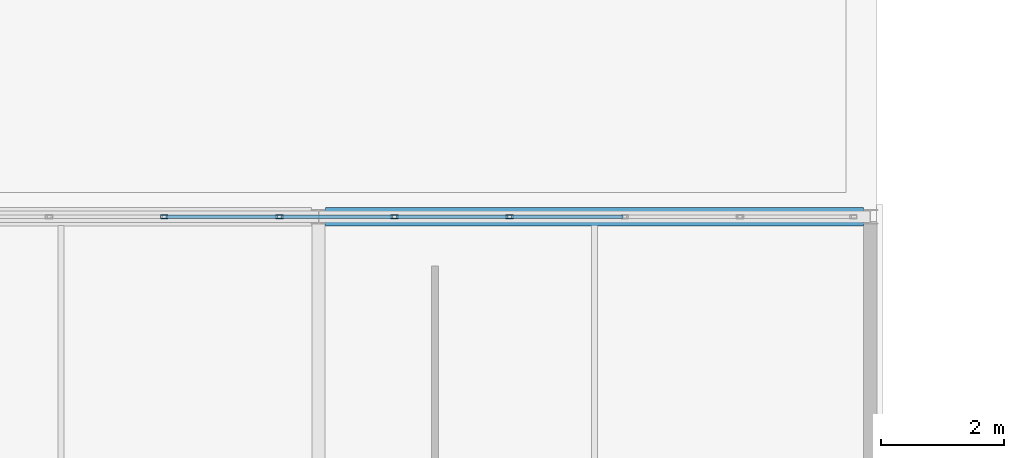
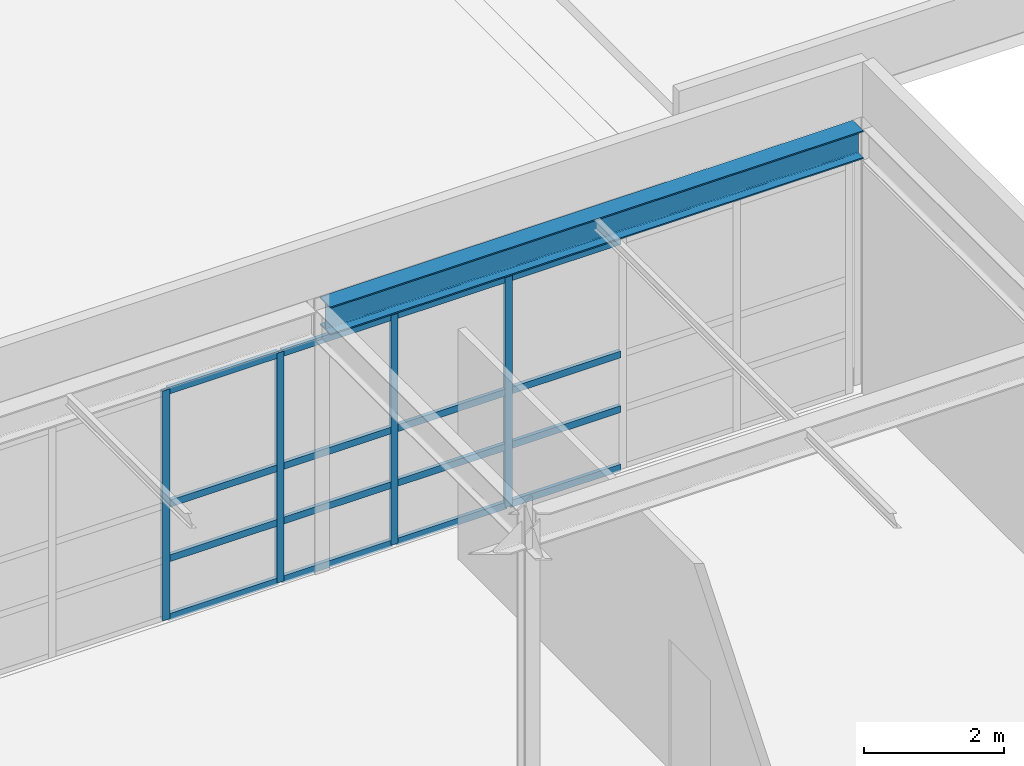
# One storey, part 26 of 38: 20 members, 1 beam, 1 element without a shape of its own.
"""IFC4 building model written with IfcOpenShell, lengths in metres."""

from ifc_helpers import new_model, si_unit, direction, frame, origin, origin_2d, place, context, subcontext, project, spatial, hollow_rectangle, i_section, extrude, material, material_profile, profile_set, type_object, element, aggregate, save


model = new_model("IFC4")

# Units and contexts
model_context = context("Model", 3, precision=1e-05, world=origin(), true_north=direction((0.0, 1.0)))
body_context = subcontext(model_context, "Body", "Model", "MODEL_VIEW")
ifc_project = project(units=[si_unit("LENGTHUNIT", "METRE"), si_unit("AREAUNIT", "SQUARE_METRE"), si_unit("VOLUMEUNIT", "CUBIC_METRE"), si_unit("PLANEANGLEUNIT", "RADIAN"), si_unit("MASSUNIT", "GRAM", prefix="KILO")], contexts=[model_context])

# Site, building, storey
site_placement = place(None, origin())
site = spatial("IfcSite", under=ifc_project, at=site_placement, CompositionType="ELEMENT")
building_placement = place(site_placement, origin())
building = spatial("IfcBuilding", under=site, at=building_placement, Name="Kaldris Quays Convention Centre", CompositionType="ELEMENT")
storey_placement = place(building_placement, frame((0.0, 0.0, 21.60009765625)))
storey = spatial("IfcBuildingStorey", under=building, at=storey_placement, Name="L04", CompositionType="ELEMENT", Elevation=21.60009765625)

# Curtain wall, members
ifc_material_1 = material(Name="Anodized aluminium AW-6060 and triple glazing", Category="aluminium")
curtain_wall_type = type_object("IfcCurtainWallType", Name="UNITISED CURTAIN WALL CW05", PredefinedType="NOTDEFINED", material=ifc_material_1)
curtain_wall_placement = place(storey_placement, origin())
curtain_wall = element("IfcCurtainWall", 1, at=curtain_wall_placement, inside=storey, type_object=curtain_wall_type, Name="L04 Unitised Curtain Wall CW05 151", PredefinedType="NOTDEFINED")
ifc_material_2 = material(Name="Anodized aluminium AW-6060", Category="aluminium")
ifc_material_profile_1 = material_profile(ifc_material_2, hollow_rectangle(XDim=0.06005859375, YDim=0.1201171875, WallThickness=0.00390625, at=origin_2d()), Name="RHS 120x60x4")
ifc_profile_set_1 = profile_set([ifc_material_profile_1], Name="Anodized aluminium AW-6060")
member_type_1 = type_object("IfcMemberType", Name="CURTAIN MULLION CWM3", PredefinedType="MULLION", material=ifc_profile_set_1)
member_1_placement = place(storey_placement, frame((152.4833984375, 98.0, 0.0), z_axis=(0.0, 0.0, 1.0), x_axis=(0.0, 1.0, 0.0)))
member_1 = element("IfcMember", 2, at=member_1_placement, type_object=member_type_1, Name="CW05 mullion 4", PredefinedType="MULLION", context=body_context, shape_type="SweptSolid", body=[
    extrude(hollow_rectangle(XDim=0.06005859375, YDim=0.1201171875, WallThickness=0.00390625, at=origin_2d()), origin(), (0.0, 0.0, 1.0), 4.0),
])
member_2_placement = place(storey_placement, frame((154.361083984375, 98.0, 0.0), z_axis=(0.0, 0.0, 1.0), x_axis=(0.0, 1.0, 0.0)))
member_2 = element("IfcMember", 3, at=member_2_placement, type_object=member_type_1, Name="CW05 mullion 5", PredefinedType="MULLION", context=body_context, shape_type="SweptSolid", body=[
    extrude(hollow_rectangle(XDim=0.06005859375, YDim=0.1201171875, WallThickness=0.00390625, at=origin_2d()), origin(), (0.0, 0.0, 1.0), 4.0),
])
member_3_placement = place(storey_placement, frame((156.23876953125, 98.0, 0.0), z_axis=(0.0, 0.0, 1.0), x_axis=(0.0, 1.0, 0.0)))
member_3 = element("IfcMember", 4, at=member_3_placement, type_object=member_type_1, Name="CW05 mullion 6", PredefinedType="MULLION", context=body_context, shape_type="SweptSolid", body=[
    extrude(hollow_rectangle(XDim=0.06005859375, YDim=0.1201171875, WallThickness=0.00390625, at=origin_2d()), origin(), (0.0, 0.0, 1.0), 4.0),
])
member_4_placement = place(storey_placement, frame((158.11669921875, 98.0, 0.0), z_axis=(0.0, 0.0, 1.0), x_axis=(0.0, 1.0, 0.0)))
member_4 = element("IfcMember", 5, at=member_4_placement, type_object=member_type_1, Name="CW05 mullion 7", PredefinedType="MULLION", context=body_context, shape_type="SweptSolid", body=[
    extrude(hollow_rectangle(XDim=0.06005859375, YDim=0.1201171875, WallThickness=0.00390625, at=origin_2d()), origin(), (0.0, 0.0, 1.0), 4.0),
])
ifc_material_profile_2 = material_profile(ifc_material_2, hollow_rectangle(XDim=0.06005859375, YDim=0.1201171875, WallThickness=0.00390625, at=origin_2d()), Name="RHS 120x60x4")
ifc_profile_set_2 = profile_set([ifc_material_profile_2], Name="Anodized aluminium AW-6060")
member_type_2 = type_object("IfcMemberType", Name="CURTAIN TRANSOM CWT1", PredefinedType="USERDEFINED", material=ifc_profile_set_2)
member_5_placement = place(storey_placement, frame((152.513427734375, 98.0, 0.02978515625), z_axis=(1.0, 0.0, 0.0), x_axis=(0.0, 1.0, 0.0)))
member_5 = element("IfcMember", 6, at=member_5_placement, type_object=member_type_2, Name="CW05 transom 4.1", ObjectType="TRANSOM", PredefinedType="USERDEFINED", context=body_context, shape_type="SweptSolid", body=[
    extrude(hollow_rectangle(XDim=0.06005859375, YDim=0.1201171875, WallThickness=0.00390625, at=origin_2d()), origin(), (0.0, 0.0, 1.0), 1.817626953125),
])
member_6_placement = place(storey_placement, frame((152.513427734375, 98.0, 1.0498046875), z_axis=(1.0, 0.0, 0.0), x_axis=(0.0, 1.0, 0.0)))
member_6 = element("IfcMember", 7, at=member_6_placement, type_object=member_type_2, Name="CW05 transom 4.2", ObjectType="TRANSOM", PredefinedType="USERDEFINED", context=body_context, shape_type="SweptSolid", body=[
    extrude(hollow_rectangle(XDim=0.06005859375, YDim=0.1201171875, WallThickness=0.00390625, at=origin_2d()), origin(), (0.0, 0.0, 1.0), 1.817626953125),
])
member_7_placement = place(storey_placement, frame((152.513427734375, 98.0, 2.0), z_axis=(1.0, 0.0, 0.0), x_axis=(0.0, 1.0, 0.0)))
member_7 = element("IfcMember", 8, at=member_7_placement, type_object=member_type_2, Name="CW05 transom 4.3", ObjectType="TRANSOM", PredefinedType="USERDEFINED", context=body_context, shape_type="SweptSolid", body=[
    extrude(hollow_rectangle(XDim=0.06005859375, YDim=0.1201171875, WallThickness=0.00390625, at=origin_2d()), origin(), (0.0, 0.0, 1.0), 1.817626953125),
])
member_8_placement = place(storey_placement, frame((152.513427734375, 98.0, 3.969970703125), z_axis=(1.0, 0.0, 0.0), x_axis=(0.0, 1.0, 0.0)))
member_8 = element("IfcMember", 9, at=member_8_placement, type_object=member_type_2, Name="CW05 transom 4.4", ObjectType="TRANSOM", PredefinedType="USERDEFINED", context=body_context, shape_type="SweptSolid", body=[
    extrude(hollow_rectangle(XDim=0.06005859375, YDim=0.1201171875, WallThickness=0.00390625, at=origin_2d()), origin(), (0.0, 0.0, 1.0), 1.817626953125),
])
member_9_placement = place(storey_placement, frame((154.39111328125, 98.0, 0.02978515625), z_axis=(1.0, 0.0, 0.0), x_axis=(0.0, 1.0, 0.0)))
member_9 = element("IfcMember", 10, at=member_9_placement, type_object=member_type_2, Name="CW05 transom 5.1", ObjectType="TRANSOM", PredefinedType="USERDEFINED", context=body_context, shape_type="SweptSolid", body=[
    extrude(hollow_rectangle(XDim=0.06005859375, YDim=0.1201171875, WallThickness=0.00390625, at=origin_2d()), origin(), (0.0, 0.0, 1.0), 1.81787109375),
])
member_10_placement = place(storey_placement, frame((154.39111328125, 98.0, 1.0498046875), z_axis=(1.0, 0.0, 0.0), x_axis=(0.0, 1.0, 0.0)))
member_10 = element("IfcMember", 11, at=member_10_placement, type_object=member_type_2, Name="CW05 transom 5.2", ObjectType="TRANSOM", PredefinedType="USERDEFINED", context=body_context, shape_type="SweptSolid", body=[
    extrude(hollow_rectangle(XDim=0.06005859375, YDim=0.1201171875, WallThickness=0.00390625, at=origin_2d()), origin(), (0.0, 0.0, 1.0), 1.81787109375),
])
member_11_placement = place(storey_placement, frame((154.39111328125, 98.0, 2.0), z_axis=(1.0, 0.0, 0.0), x_axis=(0.0, 1.0, 0.0)))
member_11 = element("IfcMember", 12, at=member_11_placement, type_object=member_type_2, Name="CW05 transom 5.3", ObjectType="TRANSOM", PredefinedType="USERDEFINED", context=body_context, shape_type="SweptSolid", body=[
    extrude(hollow_rectangle(XDim=0.06005859375, YDim=0.1201171875, WallThickness=0.00390625, at=origin_2d()), origin(), (0.0, 0.0, 1.0), 1.81787109375),
])
member_12_placement = place(storey_placement, frame((154.39111328125, 98.0, 3.969970703125), z_axis=(1.0, 0.0, 0.0), x_axis=(0.0, 1.0, 0.0)))
member_12 = element("IfcMember", 13, at=member_12_placement, type_object=member_type_2, Name="CW05 transom 5.4", ObjectType="TRANSOM", PredefinedType="USERDEFINED", context=body_context, shape_type="SweptSolid", body=[
    extrude(hollow_rectangle(XDim=0.06005859375, YDim=0.1201171875, WallThickness=0.00390625, at=origin_2d()), origin(), (0.0, 0.0, 1.0), 1.81787109375),
])
member_13_placement = place(storey_placement, frame((156.268798828125, 98.0, 0.02978515625), z_axis=(1.0, 0.0, 0.0), x_axis=(0.0, 1.0, 0.0)))
member_13 = element("IfcMember", 14, at=member_13_placement, type_object=member_type_2, Name="CW05 transom 6.1", ObjectType="TRANSOM", PredefinedType="USERDEFINED", context=body_context, shape_type="SweptSolid", body=[
    extrude(hollow_rectangle(XDim=0.06005859375, YDim=0.1201171875, WallThickness=0.00390625, at=origin_2d()), origin(), (0.0, 0.0, 1.0), 1.81787109375),
])
member_14_placement = place(storey_placement, frame((156.268798828125, 98.0, 1.0498046875), z_axis=(1.0, 0.0, 0.0), x_axis=(0.0, 1.0, 0.0)))
member_14 = element("IfcMember", 15, at=member_14_placement, type_object=member_type_2, Name="CW05 transom 6.2", ObjectType="TRANSOM", PredefinedType="USERDEFINED", context=body_context, shape_type="SweptSolid", body=[
    extrude(hollow_rectangle(XDim=0.06005859375, YDim=0.1201171875, WallThickness=0.00390625, at=origin_2d()), origin(), (0.0, 0.0, 1.0), 1.81787109375),
])
member_15_placement = place(storey_placement, frame((156.268798828125, 98.0, 2.0), z_axis=(1.0, 0.0, 0.0), x_axis=(0.0, 1.0, 0.0)))
member_15 = element("IfcMember", 16, at=member_15_placement, type_object=member_type_2, Name="CW05 transom 6.3", ObjectType="TRANSOM", PredefinedType="USERDEFINED", context=body_context, shape_type="SweptSolid", body=[
    extrude(hollow_rectangle(XDim=0.06005859375, YDim=0.1201171875, WallThickness=0.00390625, at=origin_2d()), origin(), (0.0, 0.0, 1.0), 1.81787109375),
])
member_16_placement = place(storey_placement, frame((156.268798828125, 98.0, 3.969970703125), z_axis=(1.0, 0.0, 0.0), x_axis=(0.0, 1.0, 0.0)))
member_16 = element("IfcMember", 17, at=member_16_placement, type_object=member_type_2, Name="CW05 transom 6.4", ObjectType="TRANSOM", PredefinedType="USERDEFINED", context=body_context, shape_type="SweptSolid", body=[
    extrude(hollow_rectangle(XDim=0.06005859375, YDim=0.1201171875, WallThickness=0.00390625, at=origin_2d()), origin(), (0.0, 0.0, 1.0), 1.81787109375),
])
member_17_placement = place(storey_placement, frame((158.146728515625, 98.0, 0.02978515625), z_axis=(1.0, 0.0, 0.0), x_axis=(0.0, 1.0, 0.0)))
member_17 = element("IfcMember", 18, at=member_17_placement, type_object=member_type_2, Name="CW05 transom 7.1", ObjectType="TRANSOM", PredefinedType="USERDEFINED", context=body_context, shape_type="SweptSolid", body=[
    extrude(hollow_rectangle(XDim=0.06005859375, YDim=0.1201171875, WallThickness=0.00390625, at=origin_2d()), origin(), (0.0, 0.0, 1.0), 1.817626953125),
])
member_18_placement = place(storey_placement, frame((158.146728515625, 98.0, 1.0498046875), z_axis=(1.0, 0.0, 0.0), x_axis=(0.0, 1.0, 0.0)))
member_18 = element("IfcMember", 19, at=member_18_placement, type_object=member_type_2, Name="CW05 transom 7.2", ObjectType="TRANSOM", PredefinedType="USERDEFINED", context=body_context, shape_type="SweptSolid", body=[
    extrude(hollow_rectangle(XDim=0.06005859375, YDim=0.1201171875, WallThickness=0.00390625, at=origin_2d()), origin(), (0.0, 0.0, 1.0), 1.817626953125),
])
member_19_placement = place(storey_placement, frame((158.146728515625, 98.0, 2.0), z_axis=(1.0, 0.0, 0.0), x_axis=(0.0, 1.0, 0.0)))
member_19 = element("IfcMember", 20, at=member_19_placement, type_object=member_type_2, Name="CW05 transom 7.3", ObjectType="TRANSOM", PredefinedType="USERDEFINED", context=body_context, shape_type="SweptSolid", body=[
    extrude(hollow_rectangle(XDim=0.06005859375, YDim=0.1201171875, WallThickness=0.00390625, at=origin_2d()), origin(), (0.0, 0.0, 1.0), 1.817626953125),
])
member_20_placement = place(storey_placement, frame((158.146728515625, 98.0, 3.969970703125), z_axis=(1.0, 0.0, 0.0), x_axis=(0.0, 1.0, 0.0)))
member_20 = element("IfcMember", 21, at=member_20_placement, type_object=member_type_2, Name="CW05 transom 7.4", ObjectType="TRANSOM", PredefinedType="USERDEFINED", context=body_context, shape_type="SweptSolid", body=[
    extrude(hollow_rectangle(XDim=0.06005859375, YDim=0.1201171875, WallThickness=0.00390625, at=origin_2d()), origin(), (0.0, 0.0, 1.0), 1.817626953125),
])
aggregate(curtain_wall, [member_1, member_2, member_3, member_4, member_5, member_6, member_7, member_8, member_9, member_10, member_11, member_12, member_13, member_14, member_15, member_16, member_17, member_18, member_19, member_20])

# Beam
ifc_material_3 = material(Name="Steel S355J2", Category="steel")
ifc_material_profile_3 = material_profile(ifc_material_3, i_section(OverallWidth=0.300048828125, OverallDepth=0.489990234375, WebThickness=0.011962890625, FlangeThickness=0.02294921875, FilletRadius=0.027099609375, at=origin_2d()), Name="HEA 500")
ifc_profile_set_3 = profile_set([ifc_material_profile_3], Name="Steel S355J2")
beam_type = type_object("IfcBeamType", Name="STRUCTURAL BEAM BM09", PredefinedType="BEAM", material=ifc_profile_set_3)
beam_placement = place(storey_placement, frame((155.114013671875, 98.0, 4.347900390625), z_axis=(1.0, 0.0, 0.0), x_axis=(0.0, 1.0, 0.0)))
element("IfcBeam", 22, at=beam_placement, inside=storey, type_object=beam_type, Name="L04 Girder BM09 37", PredefinedType="BEAM", context=body_context, shape_type="SweptSolid", body=[
    extrude(i_section(OverallWidth=0.300048828125, OverallDepth=0.489990234375, WebThickness=0.011962890625, FlangeThickness=0.02294921875, FilletRadius=0.027099609375, at=origin_2d()), origin(), (0.0, 0.0, 1.0), 8.77197265625),
])

save(model, "model.ifc")
